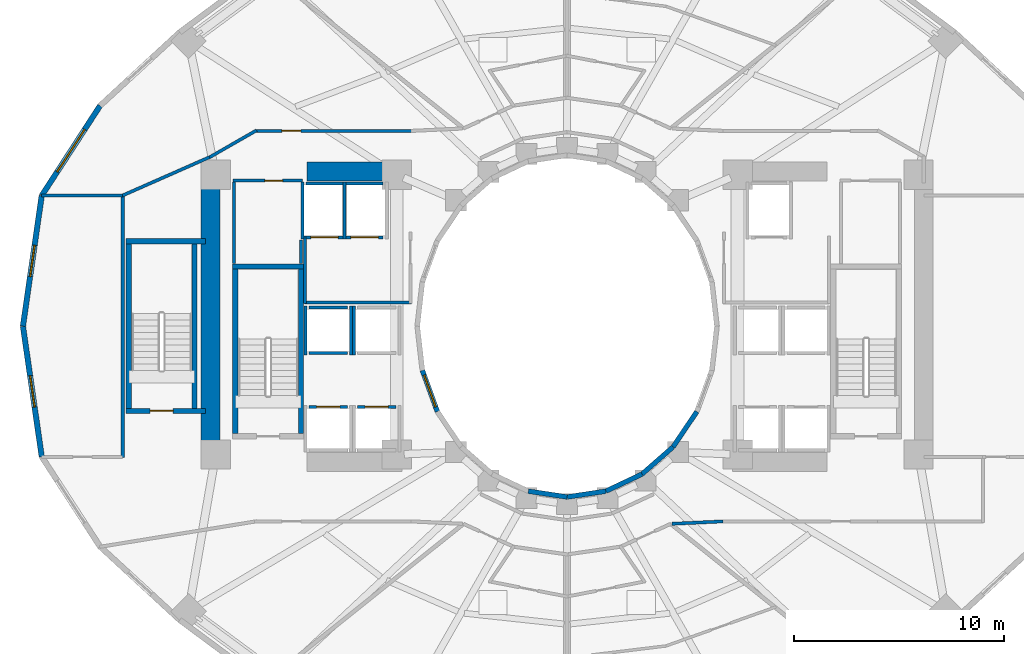
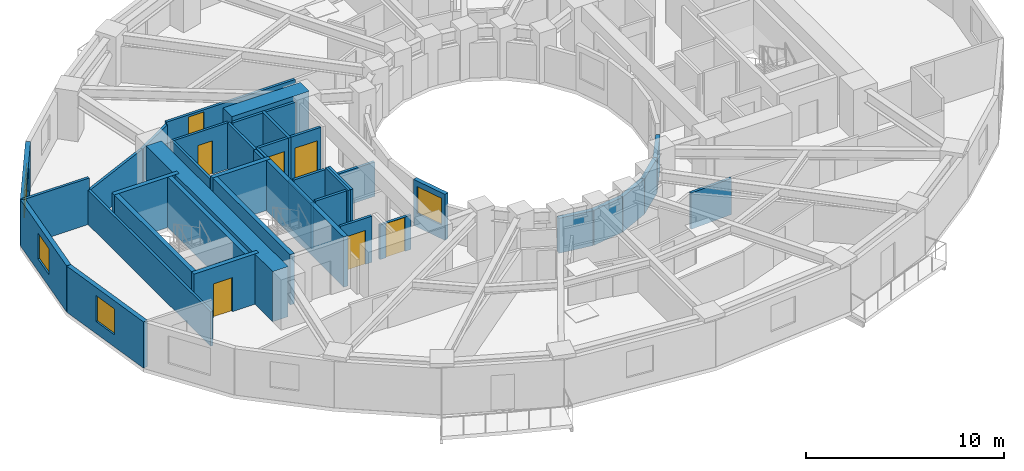
# One storey, part 4 of 10: 42 walls, 7 doors, 4 windows, 11 openings.
"""IFC4 building model written with IfcOpenShell, lengths in metres."""

from ifc_helpers import new_model, si_unit, direction, frame, frame_2d, origin, place, context, subcontext, project, spatial, rectangle, extrude, material, layer, layer_set, type_object, element, fill, save


model = new_model("IFC4")

# Units and contexts
model_context = context("Model", 3, precision=1e-05, world=origin(), true_north=direction((0.0, 1.0)))
body_context = subcontext(model_context, "Body", "Model", "MODEL_VIEW")
ifc_project = project(units=[si_unit("LENGTHUNIT", "METRE"), si_unit("AREAUNIT", "SQUARE_METRE"), si_unit("VOLUMEUNIT", "CUBIC_METRE"), si_unit("PLANEANGLEUNIT", "RADIAN"), si_unit("MASSUNIT", "GRAM", prefix="KILO")], contexts=[model_context])

# Site, building, storey
site_placement = place(None, origin())
site = spatial("IfcSite", under=ifc_project, at=site_placement, CompositionType="ELEMENT")
building_placement = place(site_placement, origin())
building = spatial("IfcBuilding", under=site, at=building_placement, Name="Solvane Sanctuary Tower", CompositionType="ELEMENT")
storey_placement = place(building_placement, frame((0.0, 0.0, 30.699951171875)))
storey = spatial("IfcBuildingStorey", under=building, at=storey_placement, Name="L08", CompositionType="ELEMENT", Elevation=30.699951171875)

# Walls
ifc_material_1 = material(Name="Concrete C70/85", Category="concrete")
ifc_layer_1 = layer(ifc_material_1, 0.89990234375, Name="Concrete C70/85")
ifc_layer_set_1 = layer_set([ifc_layer_1], Name="Concrete C70/85")
wall_type_1 = type_object("IfcWallType", Name="Wall W-CORE-900", PredefinedType="SHEAR", material=ifc_layer_set_1)
wall_1_placement = place(storey_placement, frame((15.050048828125, 17.050048828125, 0.0), z_axis=(0.0, 0.0, 1.0), x_axis=(0.0, 1.0, 0.0)))
element("IfcWall", 1, at=wall_1_placement, inside=storey, type_object=wall_type_1, Name="L08 Core Shear Wall WC-W", PredefinedType="SHEAR", context=body_context, shape_type="SweptSolid", body=[
    extrude(rectangle(XDim=12.800048828125, YDim=0.89990234375, at=frame_2d((6.39990234375, 0.0))), origin(), (0.0, 0.0, 1.0), 3.10009765625),
])
wall_2_placement = place(storey_placement, frame((19.64990234375, 30.35009765625, 0.0), z_axis=(0.0, 0.0, 1.0), x_axis=(1.0, 0.0, 0.0)))
element("IfcWall", 2, at=wall_2_placement, inside=storey, type_object=wall_type_1, Name="L08 Core Shear Wall WC-N", PredefinedType="SHEAR", context=body_context, shape_type="SweptSolid", body=[
    extrude(rectangle(XDim=4.5, YDim=0.89990234375, at=frame_2d((2.25, 0.0))), origin(), (0.0, 0.0, 1.0), 3.10009765625),
])
ifc_material_2 = material(Name="Acoustic Gypsum Partition Board")
ifc_layer_2 = layer(ifc_material_2, 0.14990234375, Name="Acoustic Gypsum Partition Board")
ifc_layer_set_2 = layer_set([ifc_layer_2], Name="Acoustic Gypsum Partition Board")
wall_type_2 = type_object("IfcWallType", Name="Wall W-CORR-150", PredefinedType="PARTITIONING", material=ifc_layer_set_2)
wall_3_placement = place(storey_placement, frame((19.52001953125, 24.1201171875, 0.0), z_axis=(0.0, 0.0, 1.0), x_axis=(1.0, 0.0, 0.0)))
element("IfcWall", 3, at=wall_3_placement, inside=storey, type_object=wall_type_2, Name="L08 West Firefighting Lobby South Wall", PredefinedType="PARTITIONING", context=body_context, shape_type="SweptSolid", body=[
    extrude(rectangle(XDim=5.080078125, YDim=0.14990234375, at=frame_2d((2.5400390625, 0.0))), origin(), (0.0, 0.0, 1.0), 2.1201171875),
])
wall_4_placement = place(storey_placement, frame((19.550048828125, 24.080078125, 0.0), z_axis=(0.0, 0.0, 1.0), x_axis=(0.0, 1.0, 0.0)))
element("IfcWall", 4, at=wall_4_placement, inside=storey, type_object=wall_type_2, Name="L08 West Firefighting Lobby West Wall", PredefinedType="PARTITIONING", context=body_context, shape_type="SweptSolid", body=[
    extrude(rectangle(XDim=3.199951171875, YDim=0.14990234375, at=frame_2d((1.60009765625, 0.0))), origin(), (0.0, 0.0, 1.0), 2.85498046875),
])
wall_5_placement = place(storey_placement, frame((10.8798828125, 16.748291015625, 0.0), z_axis=(0.0, 0.0, 1.0), x_axis=(0.0, 1.0, 0.0)))
element("IfcWall", 5, at=wall_5_placement, inside=storey, type_object=wall_type_2, Name="L08 West Shoulder Back Wall", PredefinedType="PARTITIONING", context=body_context, shape_type="SweptSolid", body=[
    extrude(rectangle(XDim=12.50341796875, YDim=0.14990234375, at=frame_2d((6.251708984375, 0.0))), origin(), (0.0, 0.0, 1.0), 2.1201171875),
])
wall_6_placement = place(storey_placement, frame((7.013671875, 29.211669921875, 0.0), z_axis=(0.0, 0.0, 1.0), x_axis=(1.0, 0.0, 0.0)))
element("IfcWall", 6, at=wall_6_placement, inside=storey, type_object=wall_type_2, Name="L08 West Shoulder North Wall", PredefinedType="PARTITIONING", context=body_context, shape_type="SweptSolid", body=[
    extrude(rectangle(XDim=3.8662109375, YDim=0.14990234375, at=frame_2d((1.93310546875, 0.0))), origin(), (0.0, 0.0, 1.0), 2.85498046875),
])
wall_7_placement = place(storey_placement, frame((10.843505859375, 29.195556640625, 0.0), z_axis=(0.0, 0.0, 1.0), x_axis=(0.91502756289, 0.403391322604, 0.0)))
element("IfcWall", 7, at=wall_7_placement, inside=storey, type_object=wall_type_2, Name="L08 NW Corner Closer 1", PredefinedType="PARTITIONING", context=body_context, shape_type="SweptSolid", body=[
    extrude(rectangle(XDim=4.63720703125, YDim=0.14990234375, at=frame_2d((2.318603515625, 0.0))), origin(), (0.0, 0.0, 1.0), 2.069091796875),
])

# Wall, opening, door
wall_8_placement = place(storey_placement, frame((17.14990234375, 32.280029296875, 0.0), z_axis=(0.0, 0.0, 1.0), x_axis=(1.0, 0.0, 0.0)))
wall_8 = element("IfcWall", 8, at=wall_8_placement, inside=storey, type_object=wall_type_2, Name="L08 NW Corner Corridor Wall", PredefinedType="PARTITIONING", context=body_context, shape_type="SweptSolid", body=[
    extrude(rectangle(XDim=7.52001953125, YDim=0.14990234375, at=frame_2d((3.760009765625, 0.0))), origin(), (0.0, 0.0, 1.0), 2.237060546875),
])
opening_1_placement = place(wall_8_placement, frame((1.300048828125, 0.0, 0.0)))
opening_1 = element("IfcOpeningElement", 9, at=opening_1_placement, cuts=wall_8, Name="Opening D-L08-15", PredefinedType="OPENING", context=body_context, shape_type="SweptSolid", body=[
    extrude(rectangle(XDim=0.89990234375, YDim=2.10009765625, at=frame_2d((0.449951171875, 1.050048828125))), frame((0.0, 0.0849609375, 0.0), z_axis=(0.0, -1.0, 0.0), x_axis=(1.0, 0.0, 0.0)), (0.0, 0.0, 1.0), 0.169921875),
])
ifc_material_3 = material(Name="Engineered Tropical Hardwood", Category="wood")
door_type_1 = type_object("IfcDoorType", Name="Door D-WET-900", OperationType="NOTDEFINED", PredefinedType="DOOR", material=ifc_material_3)
door_1_placement = place(opening_1_placement, origin())
door_1 = element("IfcDoor", 10, at=door_1_placement, inside=storey, type_object=door_type_1, Name="L08 NW Corner Salon Door", OperationType="SINGLE_SWING_LEFT", OverallHeight=2.10009765625, OverallWidth=0.89990234375, PredefinedType="DOOR", context=body_context, shape_type="SweptSolid", body=[
    extrude(rectangle(XDim=0.89990234375, YDim=2.10009765625, at=frame_2d((0.449951171875, 1.050048828125))), frame((0.0, 0.02490234375, 0.0), z_axis=(0.0, -1.0, 0.0), x_axis=(1.0, 0.0, 0.0)), (0.0, 0.0, 1.0), 0.050048828125),
])
fill(opening_1, door_1)

# Walls
wall_9_placement = place(storey_placement, frame((17.243408203125, 32.3046875, 0.0), z_axis=(0.0, 0.0, 1.0), x_axis=(-0.867991349648, -0.496579315857, 0.0)))
element("IfcWall", 11, at=wall_9_placement, inside=storey, type_object=wall_type_2, Name="L08 NW Corner Wing Wall", PredefinedType="PARTITIONING", context=body_context, shape_type="SweptSolid", body=[
    extrude(rectangle(XDim=2.56689453125, YDim=0.14990234375, at=frame_2d((1.283447265625, 0.0))), origin(), (0.0, 0.0, 1.0), 2.069091796875),
])
wall_10_placement = place(storey_placement, frame((36.97998046875, 13.606201171875, 0.0), z_axis=(0.0, 0.0, 1.0), x_axis=(0.998877427952, 0.047369651964, 0.0)))
element("IfcWall", 12, at=wall_10_placement, inside=storey, type_object=wall_type_2, Name="L08 SE Corner Throat Wall", PredefinedType="PARTITIONING", context=body_context, shape_type="SweptSolid", body=[
    extrude(rectangle(XDim=2.4326171875, YDim=0.14990234375, at=frame_2d((1.21630859375, 0.0))), origin(), (0.0, 0.0, 1.0), 2.237060546875),
])

# Wall, opening, window
ifc_material_4 = material(Name="Precast concrete C40/50", Category="concrete")
ifc_layer_3 = layer(ifc_material_4, 0.260009765625, Name="Precast concrete C40/50")
ifc_layer_set_3 = layer_set([ifc_layer_3], Name="Precast concrete C40/50")
wall_type_3 = type_object("IfcWallType", Name="Wall W-EXT-250", PredefinedType="STANDARD", material=ifc_layer_set_3)
wall_11_placement = place(storey_placement, frame((9.80615234375, 33.4755859375, 0.0), z_axis=(0.0, 0.0, 1.0), x_axis=(-0.544578722263, -0.838709732421, 0.0)))
wall_11 = element("IfcWall", 13, at=wall_11_placement, inside=storey, type_object=wall_type_3, Name="L08 Ceramic-Printed Facade Wall 10", PredefinedType="STANDARD", context=body_context, shape_type="SweptSolid", body=[
    extrude(rectangle(XDim=5.091552734375, YDim=0.260009765625, at=frame_2d((2.5458984375, 0.0))), origin(), (0.0, 0.0, 1.0), 2.85009765625),
])
opening_2_placement = place(wall_11_placement, frame((1.345703125, 0.0, 0.75)))
opening_2 = element("IfcOpeningElement", 14, at=opening_2_placement, cuts=wall_11, Name="Opening WN-RIB-2400", PredefinedType="OPENING", context=body_context, shape_type="SweptSolid", body=[
    extrude(rectangle(XDim=2.39990234375, YDim=1.699951171875, at=frame_2d((1.199951171875, 0.85009765625))), frame((0.0, 0.139892578125, 0.0), z_axis=(0.0, -1.0, 0.0), x_axis=(1.0, 0.0, 0.0)), (0.0, 0.0, 1.0), 0.280029296875),
])
ifc_material_5 = material(Name="Dark Ceramic-Fritted Low-E Glass", Category="glass")
window_type_1 = type_object("IfcWindowType", Name="Window WN-RIB-2400", PartitioningType="SINGLE_PANEL", PredefinedType="WINDOW", material=ifc_material_5)
window_1_placement = place(opening_2_placement, origin())
window_1 = element("IfcWindow", 15, at=window_1_placement, inside=storey, type_object=window_type_1, Name="L08 Operable Facade Window 10", OverallHeight=1.699951171875, OverallWidth=2.39990234375, PartitioningType="SINGLE_PANEL", PredefinedType="WINDOW", context=body_context, shape_type="SweptSolid", body=[
    extrude(rectangle(XDim=2.39990234375, YDim=1.699951171875, at=frame_2d((1.199951171875, 0.85009765625))), frame((0.0, 0.030029296875, 0.0), z_axis=(0.0, -1.0, 0.0), x_axis=(1.0, 0.0, 0.0)), (0.0, 0.0, 1.0), 0.06005859375),
])
fill(opening_2, window_1)

wall_12_placement = place(storey_placement, frame((7.033447265625, 29.205322265625, 0.0), z_axis=(0.0, 0.0, 1.0), x_axis=(-0.142528001686, -0.989790770181, 0.0)))
wall_12 = element("IfcWall", 16, at=wall_12_placement, inside=storey, type_object=wall_type_3, Name="L08 Ceramic-Printed Facade Wall 11", PredefinedType="STANDARD", context=body_context, shape_type="SweptSolid", body=[
    extrude(rectangle(XDim=6.269287109375, YDim=0.260009765625, at=frame_2d((3.134765625, 0.0))), origin(), (0.0, 0.0, 1.0), 2.85009765625),
])
opening_3_placement = place(wall_12_placement, frame((2.384521484375, 0.0, 0.75)))
opening_3 = element("IfcOpeningElement", 17, at=opening_3_placement, cuts=wall_12, Name="Opening WN-OPER-1500", PredefinedType="OPENING", context=body_context, shape_type="SweptSolid", body=[
    extrude(rectangle(XDim=1.5, YDim=1.60009765625, at=frame_2d((0.75, 0.800048828125))), frame((0.0, 0.139892578125, 0.0), z_axis=(0.0, -1.0, 0.0), x_axis=(1.0, 0.0, 0.0)), (0.0, 0.0, 1.0), 0.280029296875),
])
window_type_2 = type_object("IfcWindowType", Name="Window WN-OPER-1500", PartitioningType="SINGLE_PANEL", PredefinedType="WINDOW", material=ifc_material_5)
window_2_placement = place(opening_3_placement, origin())
window_2 = element("IfcWindow", 18, at=window_2_placement, inside=storey, type_object=window_type_2, Name="L08 Operable Facade Window 11", OverallHeight=1.60009765625, OverallWidth=1.5, PartitioningType="SINGLE_PANEL", PredefinedType="WINDOW", context=body_context, shape_type="SweptSolid", body=[
    extrude(rectangle(XDim=1.5, YDim=1.60009765625, at=frame_2d((0.75, 0.800048828125))), frame((0.0, 0.030029296875, 0.0), z_axis=(0.0, -1.0, 0.0), x_axis=(1.0, 0.0, 0.0)), (0.0, 0.0, 1.0), 0.06005859375),
])
fill(opening_3, window_2)

wall_13_placement = place(storey_placement, frame((6.139892578125, 23.0, 0.0), z_axis=(0.0, 0.0, 1.0), x_axis=(0.142528001686, -0.989790770181, 0.0)))
wall_13 = element("IfcWall", 19, at=wall_13_placement, inside=storey, type_object=wall_type_3, Name="L08 Ceramic-Printed Facade Wall 12", PredefinedType="STANDARD", context=body_context, shape_type="SweptSolid", body=[
    extrude(rectangle(XDim=6.269287109375, YDim=0.260009765625, at=frame_2d((3.134765625, 0.0))), origin(), (0.0, 0.0, 1.0), 2.85009765625),
])
opening_4_placement = place(wall_13_placement, frame((2.384521484375, 0.0, 0.75)))
opening_4 = element("IfcOpeningElement", 20, at=opening_4_placement, cuts=wall_13, Name="Opening WN-OPER-1500", PredefinedType="OPENING", context=body_context, shape_type="SweptSolid", body=[
    extrude(rectangle(XDim=1.5, YDim=1.60009765625, at=frame_2d((0.75, 0.800048828125))), frame((0.0, 0.139892578125, 0.0), z_axis=(0.0, -1.0, 0.0), x_axis=(1.0, 0.0, 0.0)), (0.0, 0.0, 1.0), 0.280029296875),
])
window_3_placement = place(opening_4_placement, origin())
window_3 = element("IfcWindow", 21, at=window_3_placement, inside=storey, type_object=window_type_2, Name="L08 Operable Facade Window 12", OverallHeight=1.60009765625, OverallWidth=1.5, PartitioningType="SINGLE_PANEL", PredefinedType="WINDOW", context=body_context, shape_type="SweptSolid", body=[
    extrude(rectangle(XDim=1.5, YDim=1.60009765625, at=frame_2d((0.75, 0.800048828125))), frame((0.0, 0.030029296875, 0.0), z_axis=(0.0, -1.0, 0.0), x_axis=(1.0, 0.0, 0.0)), (0.0, 0.0, 1.0), 0.06005859375),
])
fill(opening_4, window_3)

ifc_layer_4 = layer(ifc_material_4, 0.22998046875, Name="Precast concrete C40/50")
ifc_layer_set_4 = layer_set([ifc_layer_4], Name="Precast concrete C40/50")
wall_type_4 = type_object("IfcWallType", Name="Wall W-EXT-SP220", PredefinedType="STANDARD", material=ifc_layer_set_4)
wall_14_placement = place(storey_placement, frame((25.12255859375, 20.8984375, 0.0), z_axis=(0.0, 0.0, 1.0), x_axis=(0.341423187295, -0.93990968033, 0.0)))
wall_14 = element("IfcWall", 22, at=wall_14_placement, inside=storey, type_object=wall_type_4, Name="L08 Central Light-Well Wall 13", PredefinedType="STANDARD", context=body_context, shape_type="SweptSolid", body=[
    extrude(rectangle(XDim=2.083740234375, YDim=0.22998046875, at=frame_2d((1.0419921875, 0.0))), origin(), (0.0, 0.0, 1.0), 2.840087890625),
])
opening_5_placement = place(wall_14_placement, frame((0.24169921875, 0.0, 0.85009765625)))
opening_5 = element("IfcOpeningElement", 23, at=opening_5_placement, cuts=wall_14, Name="Opening WN-WELL-1600", PredefinedType="OPENING", context=body_context, shape_type="SweptSolid", body=[
    extrude(rectangle(XDim=1.60009765625, YDim=1.64990234375, at=frame_2d((0.800048828125, 0.824951171875))), frame((0.0, 0.125, 0.0), z_axis=(0.0, -1.0, 0.0), x_axis=(1.0, 0.0, 0.0)), (0.0, 0.0, 1.0), 0.25),
])
ifc_material_6 = material(Name="Clear Laminated Light-Well Glass", Category="glass")
window_type_3 = type_object("IfcWindowType", Name="Window WN-WELL-1600", PartitioningType="SINGLE_PANEL", PredefinedType="WINDOW", material=ifc_material_6)
window_4_placement = place(opening_5_placement, origin())
window_4 = element("IfcWindow", 24, at=window_4_placement, inside=storey, type_object=window_type_3, Name="L08 Light-Well Daylight Window 13", OverallHeight=1.64990234375, OverallWidth=1.60009765625, PartitioningType="SINGLE_PANEL", PredefinedType="WINDOW", context=body_context, shape_type="SweptSolid", body=[
    extrude(rectangle(XDim=1.60009765625, YDim=1.64990234375, at=frame_2d((0.800048828125, 0.824951171875))), frame((0.0, 0.030029296875, 0.0), z_axis=(0.0, -1.0, 0.0), x_axis=(1.0, 0.0, 0.0)), (0.0, 0.0, 1.0), 0.06005859375),
])
fill(opening_5, window_4)

# Walls
for number, where, z_axis, x_axis, name in (
    (25, (30.1572265625, 15.15673828125, 0.0), (0.0, 0.0, 1.0), (0.988901730308, -0.148571086668, 0.0), "L08 Central Light-Well Wall 17"),
    (26, (32.0, 14.8798828125, 0.0), (0.0, 0.0, 1.0), (0.988901730308, 0.148571086668, 0.0), "L08 Central Light-Well Wall 18"),
):
    element("IfcWall", number, at=place(storey_placement, frame(where, z_axis=z_axis, x_axis=x_axis)), inside=storey, type_object=wall_type_4, Name=name, PredefinedType="STANDARD", context=body_context, shape_type="SweptSolid", body=[
        extrude(rectangle(XDim=1.863525390625, YDim=0.22998046875, at=frame_2d((0.931640625, 0.0))), origin(), (0.0, 0.0, 1.0), 2.16015625),
    ])
wall_15_placement = place(storey_placement, frame((33.8427734375, 15.15673828125, 0.0), z_axis=(0.0, 0.0, 1.0), x_axis=(0.904179699603, 0.427152280606, 0.0)))
element("IfcWall", 27, at=wall_15_placement, inside=storey, type_object=wall_type_4, Name="L08 Central Light-Well Wall 19", PredefinedType="STANDARD", context=body_context, shape_type="SweptSolid", body=[
    extrude(rectangle(XDim=1.899169921875, YDim=0.22998046875, at=frame_2d((0.94970703125, 0.0))), origin(), (0.0, 0.0, 1.0), 2.16015625),
])
wall_16_placement = place(storey_placement, frame((35.56005859375, 15.968017578125, 0.0), z_axis=(0.0, 0.0, 1.0), x_axis=(0.752576694707, 0.658504607869, 0.0)))
element("IfcWall", 28, at=wall_16_placement, inside=storey, type_object=wall_type_4, Name="L08 Central Light-Well Wall 20", PredefinedType="STANDARD", context=body_context, shape_type="SweptSolid", body=[
    extrude(rectangle(XDim=1.95947265625, YDim=0.22998046875, at=frame_2d((0.979736328125, 0.0))), origin(), (0.0, 0.0, 1.0), 2.16015625),
])
wall_17_placement = place(storey_placement, frame((37.03466796875, 17.25830078125, 0.0), z_axis=(0.0, 0.0, 1.0), x_axis=(0.558197800898, 0.829707909492, 0.0)))
element("IfcWall", 29, at=wall_17_placement, inside=storey, type_object=wall_type_4, Name="L08 Central Light-Well Wall 21", PredefinedType="STANDARD", context=body_context, shape_type="SweptSolid", body=[
    extrude(rectangle(XDim=2.02685546875, YDim=0.22998046875, at=frame_2d((1.013427734375, 0.0))), origin(), (0.0, 0.0, 1.0), 2.16015625),
])

# Wall, opening, door
ifc_material_7 = material(Name="Concrete C50/60", Category="concrete")
ifc_layer_5 = layer(ifc_material_7, 0.14990234375, Name="Concrete C50/60")
ifc_layer_set_5 = layer_set([ifc_layer_5], Name="Concrete C50/60")
wall_type_5 = type_object("IfcWallType", Name="Wall W-SHAFT-150", PredefinedType="SOLIDWALL", material=ifc_layer_set_5)
wall_18_placement = place(storey_placement, frame((19.739990234375, 19.159912109375, 0.0), z_axis=(0.0, 0.0, 1.0), x_axis=(1.0, 0.0, 0.0)))
wall_18 = element("IfcWall", 30, at=wall_18_placement, inside=storey, type_object=wall_type_5, Name="L08 PL-1 Lift Shaft Wall F", PredefinedType="SOLIDWALL", context=body_context, shape_type="SweptSolid", body=[
    extrude(rectangle(XDim=1.820068359375, YDim=0.14990234375, at=frame_2d((0.91015625, 0.0))), origin(), (0.0, 0.0, 1.0), 2.85498046875),
])
opening_6_placement = place(wall_18_placement, frame((0.360107421875, 0.0, 0.0)))
opening_6 = element("IfcOpeningElement", 31, at=opening_6_placement, cuts=wall_18, Name="Opening LD-L08-01", PredefinedType="OPENING", context=body_context, shape_type="SweptSolid", body=[
    extrude(rectangle(XDim=1.10009765625, YDim=2.10009765625, at=frame_2d((0.550048828125, 1.050048828125))), frame((0.0, 0.0849609375, 0.0), z_axis=(0.0, -1.0, 0.0), x_axis=(1.0, 0.0, 0.0)), (0.0, 0.0, 1.0), 0.169921875),
])
ifc_material_8 = material(Name="Architectural Stainless Steel 316", Category="steel")
door_type_2 = type_object("IfcDoorType", Name="Door LD-PASS-1100", OperationType="NOTDEFINED", PredefinedType="DOOR", material=ifc_material_8)
door_2_placement = place(opening_6_placement, origin())
door_2 = element("IfcDoor", 32, at=door_2_placement, inside=storey, type_object=door_type_2, Name="L08 PL-1 Lift Landing Door", OperationType="DOUBLE_DOOR_SLIDING", OverallHeight=2.10009765625, OverallWidth=1.10009765625, PredefinedType="DOOR", context=body_context, shape_type="SweptSolid", body=[
    extrude(rectangle(XDim=1.10009765625, YDim=2.10009765625, at=frame_2d((0.550048828125, 1.050048828125))), frame((0.0, 0.02490234375, 0.0), z_axis=(0.0, -1.0, 0.0), x_axis=(1.0, 0.0, 0.0)), (0.0, 0.0, 1.0), 0.050048828125),
])
fill(opening_6, door_2)

wall_19_placement = place(storey_placement, frame((22.0400390625, 19.159912109375, 0.0), z_axis=(0.0, 0.0, 1.0), x_axis=(1.0, 0.0, 0.0)))
wall_19 = element("IfcWall", 33, at=wall_19_placement, inside=storey, type_object=wall_type_5, Name="L08 PL-2 Lift Shaft Wall F", PredefinedType="SOLIDWALL", context=body_context, shape_type="SweptSolid", body=[
    extrude(rectangle(XDim=1.820068359375, YDim=0.14990234375, at=frame_2d((0.91015625, 0.0))), origin(), (0.0, 0.0, 1.0), 2.1201171875),
])
opening_7_placement = place(wall_19_placement, frame((0.360107421875, 0.0, 0.0)))
opening_7 = element("IfcOpeningElement", 34, at=opening_7_placement, cuts=wall_19, Name="Opening LD-L08-02", PredefinedType="OPENING", context=body_context, shape_type="SweptSolid", body=[
    extrude(rectangle(XDim=1.10009765625, YDim=2.10009765625, at=frame_2d((0.550048828125, 1.050048828125))), frame((0.0, 0.0849609375, 0.0), z_axis=(0.0, -1.0, 0.0), x_axis=(1.0, 0.0, 0.0)), (0.0, 0.0, 1.0), 0.169921875),
])
door_3_placement = place(opening_7_placement, origin())
door_3 = element("IfcDoor", 35, at=door_3_placement, inside=storey, type_object=door_type_2, Name="L08 PL-2 Lift Landing Door", OperationType="DOUBLE_DOOR_SLIDING", OverallHeight=2.10009765625, OverallWidth=1.10009765625, PredefinedType="DOOR", context=body_context, shape_type="SweptSolid", body=[
    extrude(rectangle(XDim=1.10009765625, YDim=2.10009765625, at=frame_2d((0.550048828125, 1.050048828125))), frame((0.0, 0.02490234375, 0.0), z_axis=(0.0, -1.0, 0.0), x_axis=(1.0, 0.0, 0.0)), (0.0, 0.0, 1.0), 0.050048828125),
])
fill(opening_7, door_3)

# Walls
for number, where, z_axis, x_axis, name in (
    (36, (19.739990234375, 21.719970703125, 0.0), (0.0, 0.0, 1.0), (1.0, 0.0, 0.0), "L08 PM-1 Lift Shaft Wall F"),
    (37, (19.739990234375, 23.8798828125, 0.0), (0.0, 0.0, 1.0), (1.0, 0.0, 0.0), "L08 PM-1 Lift Shaft Wall B"),
):
    element("IfcWall", number, at=place(storey_placement, frame(where, z_axis=z_axis, x_axis=x_axis)), inside=storey, type_object=wall_type_5, Name=name, PredefinedType="SOLIDWALL", context=body_context, shape_type="SweptSolid", body=[
        extrude(rectangle(XDim=1.820068359375, YDim=0.14990234375, at=frame_2d((0.91015625, 0.0))), origin(), (0.0, 0.0, 1.0), 2.85498046875),
    ])
for number, where, z_axis, x_axis, name in (
    (38, (19.570068359375, 21.639892578125, 0.0), (0.0, 0.0, 1.0), (0.0, 1.0, 0.0), "L08 PM-1 Lift Shaft Wall S1"),
    (39, (21.72998046875, 21.639892578125, 0.0), (0.0, 0.0, 1.0), (0.0, 1.0, 0.0), "L08 PM-1 Lift Shaft Wall S2"),
    (40, (21.8701171875, 21.639892578125, 0.0), (0.0, 0.0, 1.0), (0.0, 1.0, 0.0), "L08 PH-1 Lift Shaft Wall S1"),
):
    element("IfcWall", number, at=place(storey_placement, frame(where, z_axis=z_axis, x_axis=x_axis)), inside=storey, type_object=wall_type_5, Name=name, PredefinedType="SOLIDWALL", context=body_context, shape_type="SweptSolid", body=[
        extrude(rectangle(XDim=2.320068359375, YDim=0.14990234375, at=frame_2d((1.16015625, 0.0))), origin(), (0.0, 0.0, 1.0), 2.85498046875),
    ])

# Wall, opening, door
wall_20_placement = place(storey_placement, frame((19.590087890625, 27.219970703125, 0.0), z_axis=(0.0, 0.0, 1.0), x_axis=(1.0, 0.0, 0.0)))
wall_20 = element("IfcWall", 41, at=wall_20_placement, inside=storey, type_object=wall_type_5, Name="L08 FFL-1 Lift Shaft Wall F", PredefinedType="SOLIDWALL", context=body_context, shape_type="SweptSolid", body=[
    extrude(rectangle(XDim=1.760009765625, YDim=0.14990234375, at=frame_2d((0.8798828125, 0.0))), origin(), (0.0, 0.0, 1.0), 2.85498046875),
])
opening_8_placement = place(wall_20_placement, frame((0.22998046875, 0.0, 0.0)))
opening_8 = element("IfcOpeningElement", 42, at=opening_8_placement, cuts=wall_20, Name="Opening LD-L08-05", PredefinedType="OPENING", context=body_context, shape_type="SweptSolid", body=[
    extrude(rectangle(XDim=1.300048828125, YDim=2.10009765625, at=frame_2d((0.64990234375, 1.050048828125))), frame((0.0, 0.0849609375, 0.0), z_axis=(0.0, -1.0, 0.0), x_axis=(1.0, 0.0, 0.0)), (0.0, 0.0, 1.0), 0.169921875),
])
door_type_3 = type_object("IfcDoorType", Name="Door LD-FFL-1300", OperationType="NOTDEFINED", PredefinedType="DOOR", material=ifc_material_8)
door_4_placement = place(opening_8_placement, origin())
door_4 = element("IfcDoor", 43, at=door_4_placement, inside=storey, type_object=door_type_3, Name="L08 FFL-1 Lift Landing Door", OperationType="DOUBLE_DOOR_SLIDING", OverallHeight=2.10009765625, OverallWidth=1.300048828125, PredefinedType="DOOR", context=body_context, shape_type="SweptSolid", body=[
    extrude(rectangle(XDim=1.300048828125, YDim=2.10009765625, at=frame_2d((0.64990234375, 1.050048828125))), frame((0.0, 0.02490234375, 0.0), z_axis=(0.0, -1.0, 0.0), x_axis=(1.0, 0.0, 0.0)), (0.0, 0.0, 1.0), 0.050048828125),
])
fill(opening_8, door_4)

# Walls
wall_21_placement = place(storey_placement, frame((19.590087890625, 29.780029296875, 0.0), z_axis=(0.0, 0.0, 1.0), x_axis=(1.0, 0.0, 0.0)))
element("IfcWall", 44, at=wall_21_placement, inside=storey, type_object=wall_type_5, Name="L08 FFL-1 Lift Shaft Wall B", PredefinedType="SOLIDWALL", context=body_context, shape_type="SweptSolid", body=[
    extrude(rectangle(XDim=1.760009765625, YDim=0.14990234375, at=frame_2d((0.8798828125, 0.0))), origin(), (0.0, 0.0, 1.0), 2.85498046875),
])
for number, where, z_axis, x_axis, name in (
    (45, (19.419921875, 27.139892578125, 0.0), (0.0, 0.0, 1.0), (0.0, 1.0, 0.0), "L08 FFL-1 Lift Shaft Wall S1"),
    (46, (21.425048828125, 27.139892578125, 0.0), (0.0, 0.0, 1.0), (0.0, 1.0, 0.0), "L08 FFL-1 Lift Shaft Wall S2"),
):
    element("IfcWall", number, at=place(storey_placement, frame(where, z_axis=z_axis, x_axis=x_axis)), inside=storey, type_object=wall_type_5, Name=name, PredefinedType="SOLIDWALL", context=body_context, shape_type="SweptSolid", body=[
        extrude(rectangle(XDim=2.72021484375, YDim=0.14990234375, at=frame_2d((1.360107421875, 0.0))), origin(), (0.0, 0.0, 1.0), 2.85498046875),
    ])

# Wall, opening, door
wall_22_placement = place(storey_placement, frame((21.5, 27.219970703125, 0.0), z_axis=(0.0, 0.0, 1.0), x_axis=(1.0, 0.0, 0.0)))
wall_22 = element("IfcWall", 47, at=wall_22_placement, inside=storey, type_object=wall_type_5, Name="L08 SVL-1 Lift Shaft Wall F", PredefinedType="SOLIDWALL", context=body_context, shape_type="SweptSolid", body=[
    extrude(rectangle(XDim=1.760009765625, YDim=0.14990234375, at=frame_2d((0.8798828125, 0.0))), origin(), (0.0, 0.0, 1.0), 2.85498046875),
])
opening_9_placement = place(wall_22_placement, frame((0.22998046875, 0.0, 0.0)))
opening_9 = element("IfcOpeningElement", 48, at=opening_9_placement, cuts=wall_22, Name="Opening LD-L08-06", PredefinedType="OPENING", context=body_context, shape_type="SweptSolid", body=[
    extrude(rectangle(XDim=1.300048828125, YDim=2.10009765625, at=frame_2d((0.64990234375, 1.050048828125))), frame((0.0, 0.0849609375, 0.0), z_axis=(0.0, -1.0, 0.0), x_axis=(1.0, 0.0, 0.0)), (0.0, 0.0, 1.0), 0.169921875),
])
door_5_placement = place(opening_9_placement, origin())
door_5 = element("IfcDoor", 49, at=door_5_placement, inside=storey, type_object=door_type_3, Name="L08 SVL-1 Lift Landing Door", OperationType="DOUBLE_DOOR_SLIDING", OverallHeight=2.10009765625, OverallWidth=1.300048828125, PredefinedType="DOOR", context=body_context, shape_type="SweptSolid", body=[
    extrude(rectangle(XDim=1.300048828125, YDim=2.10009765625, at=frame_2d((0.64990234375, 1.050048828125))), frame((0.0, 0.02490234375, 0.0), z_axis=(0.0, -1.0, 0.0), x_axis=(1.0, 0.0, 0.0)), (0.0, 0.0, 1.0), 0.050048828125),
])
fill(opening_9, door_5)

# Walls
wall_23_placement = place(storey_placement, frame((21.5, 29.780029296875, 0.0), z_axis=(0.0, 0.0, 1.0), x_axis=(1.0, 0.0, 0.0)))
element("IfcWall", 50, at=wall_23_placement, inside=storey, type_object=wall_type_5, Name="L08 SVL-1 Lift Shaft Wall B", PredefinedType="SOLIDWALL", context=body_context, shape_type="SweptSolid", body=[
    extrude(rectangle(XDim=1.760009765625, YDim=0.14990234375, at=frame_2d((0.8798828125, 0.0))), origin(), (0.0, 0.0, 1.0), 2.85498046875),
])
ifc_layer_6 = layer(ifc_material_7, 0.25, Name="Concrete C50/60")
ifc_layer_set_6 = layer_set([ifc_layer_6], Name="Concrete C50/60")
wall_type_6 = type_object("IfcWallType", Name="Wall W-SHAFT-250", PredefinedType="SOLIDWALL", material=ifc_layer_set_6)
wall_24_placement = place(storey_placement, frame((16.10498046875, 25.830078125, 0.0), z_axis=(0.0, 0.0, 1.0), x_axis=(1.0, 0.0, 0.0)))
element("IfcWall", 51, at=wall_24_placement, inside=storey, type_object=wall_type_6, Name="L08 ST-1 Load-Bearing Shaft Wall N", PredefinedType="SOLIDWALL", context=body_context, shape_type="SweptSolid", body=[
    extrude(rectangle(XDim=3.3701171875, YDim=0.25, at=frame_2d((1.68505859375, 0.0))), origin(), (0.0, 0.0, 1.0), 3.10009765625),
])
for number, where, z_axis, x_axis, name in (
    (52, (16.22998046875, 17.89501953125, 0.0), (0.0, 0.0, 1.0), (0.0, 1.0, 0.0), "L08 ST-1 Load-Bearing Shaft Wall W"),
    (53, (19.35009765625, 17.89501953125, 0.0), (0.0, 0.0, 1.0), (0.0, 1.0, 0.0), "L08 ST-1 Load-Bearing Shaft Wall E"),
):
    element("IfcWall", number, at=place(storey_placement, frame(where, z_axis=z_axis, x_axis=x_axis)), inside=storey, type_object=wall_type_6, Name=name, PredefinedType="SOLIDWALL", context=body_context, shape_type="SweptSolid", body=[
        extrude(rectangle(XDim=7.81005859375, YDim=0.25, at=frame_2d((3.905029296875, 0.0))), origin(), (0.0, 0.0, 1.0), 3.10009765625),
    ])

# Wall, opening, door
wall_25_placement = place(storey_placement, frame((11.044921875, 18.969970703125, 0.0), z_axis=(0.0, 0.0, 1.0), x_axis=(1.0, 0.0, 0.0)))
wall_25 = element("IfcWall", 54, at=wall_25_placement, inside=storey, type_object=wall_type_6, Name="L08 ST-3 Load-Bearing Shaft Wall S", PredefinedType="SOLIDWALL", context=body_context, shape_type="SweptSolid", body=[
    extrude(rectangle(XDim=3.781982421875, YDim=0.25, at=frame_2d((1.89111328125, 0.0))), origin(), (0.0, 0.0, 1.0), 3.10009765625),
])
opening_10_placement = place(wall_25_placement, frame((1.135009765625, 0.0, 0.0)))
opening_10 = element("IfcOpeningElement", 55, at=opening_10_placement, cuts=wall_25, Name="Opening D-L08-07", PredefinedType="OPENING", context=body_context, shape_type="SweptSolid", body=[
    extrude(rectangle(XDim=1.10009765625, YDim=2.10009765625, at=frame_2d((0.550048828125, 1.050048828125))), frame((0.0, 0.135009765625, 0.0), z_axis=(0.0, -1.0, 0.0), x_axis=(1.0, 0.0, 0.0)), (0.0, 0.0, 1.0), 0.27001953125),
])
door_type_4 = type_object("IfcDoorType", Name="Door D-STAIR", OperationType="NOTDEFINED", PredefinedType="DOOR", material=ifc_material_8)
door_6_placement = place(opening_10_placement, origin())
door_6 = element("IfcDoor", 56, at=door_6_placement, inside=storey, type_object=door_type_4, Name="L08 ST-3 Exit Stair Fire Door", OperationType="SINGLE_SWING_RIGHT", OverallHeight=2.10009765625, OverallWidth=1.10009765625, PredefinedType="DOOR", context=body_context, shape_type="SweptSolid", body=[
    extrude(rectangle(XDim=1.10009765625, YDim=2.10009765625, at=frame_2d((0.550048828125, 1.050048828125))), frame((0.0, 0.02490234375, 0.0), z_axis=(0.0, -1.0, 0.0), x_axis=(1.0, 0.0, 0.0)), (0.0, 0.0, 1.0), 0.050048828125),
])
fill(opening_10, door_6)

# Walls
wall_26_placement = place(storey_placement, frame((11.044921875, 27.030029296875, 0.0), z_axis=(0.0, 0.0, 1.0), x_axis=(1.0, 0.0, 0.0)))
element("IfcWall", 57, at=wall_26_placement, inside=storey, type_object=wall_type_6, Name="L08 ST-3 Load-Bearing Shaft Wall N", PredefinedType="SOLIDWALL", context=body_context, shape_type="SweptSolid", body=[
    extrude(rectangle(XDim=3.781982421875, YDim=0.25, at=frame_2d((1.89111328125, 0.0))), origin(), (0.0, 0.0, 1.0), 3.10009765625),
])
for number, where, z_axis, x_axis, name in (
    (58, (11.169921875, 19.094970703125, 0.0), (0.0, 0.0, 1.0), (0.0, 1.0, 0.0), "L08 ST-3 Load-Bearing Shaft Wall W"),
    (59, (14.2900390625, 19.094970703125, 0.0), (0.0, 0.0, 1.0), (0.0, 1.0, 0.0), "L08 ST-3 Load-Bearing Shaft Wall E"),
):
    element("IfcWall", number, at=place(storey_placement, frame(where, z_axis=z_axis, x_axis=x_axis)), inside=storey, type_object=wall_type_6, Name=name, PredefinedType="SOLIDWALL", context=body_context, shape_type="SweptSolid", body=[
        extrude(rectangle(XDim=7.81005859375, YDim=0.25, at=frame_2d((3.905029296875, 0.0))), origin(), (0.0, 0.0, 1.0), 3.10009765625),
    ])

# Wall, opening, door
ifc_layer_7 = layer(ifc_material_2, 0.139892578125, Name="Acoustic Gypsum Partition Board")
ifc_layer_set_7 = layer_set([ifc_layer_7], Name="Acoustic Gypsum Partition Board")
wall_type_7 = type_object("IfcWallType", Name="Wall W-WET-140", PredefinedType="PLUMBINGWALL", material=ifc_layer_set_7)
wall_27_placement = place(storey_placement, frame((16.1201171875, 29.919921875, 0.0), z_axis=(0.0, 0.0, 1.0), x_axis=(1.0, 0.0, 0.0)))
wall_27 = element("IfcWall", 60, at=wall_27_placement, inside=storey, type_object=wall_type_7, Name="L08 Core Service Front Wall KW0", PredefinedType="PLUMBINGWALL", context=body_context, shape_type="SweptSolid", body=[
    extrude(rectangle(XDim=3.2998046875, YDim=0.139892578125, at=frame_2d((1.64990234375, 0.0))), origin(), (0.0, 0.0, 1.0), 2.85498046875),
])
opening_11_placement = place(wall_27_placement, frame((1.515869140625, 0.0, 0.0)))
opening_11 = element("IfcOpeningElement", 61, at=opening_11_placement, cuts=wall_27, Name="Opening D-L08-10", PredefinedType="OPENING", context=body_context, shape_type="SweptSolid", body=[
    extrude(rectangle(XDim=0.85009765625, YDim=2.050048828125, at=frame_2d((0.425048828125, 1.02490234375))), frame((0.0, 0.079833984375, 0.0), z_axis=(0.0, -1.0, 0.0), x_axis=(1.0, 0.0, 0.0)), (0.0, 0.0, 1.0), 0.159912109375),
])
door_type_5 = type_object("IfcDoorType", Name="Door D-RISER", OperationType="NOTDEFINED", PredefinedType="DOOR", material=ifc_material_8)
door_7_placement = place(opening_11_placement, origin())
door_7 = element("IfcDoor", 62, at=door_7_placement, inside=storey, type_object=door_type_5, Name="L08 Core Service Room Door KW0-1", OperationType="SINGLE_SWING_RIGHT", OverallHeight=2.050048828125, OverallWidth=0.85009765625, PredefinedType="DOOR", context=body_context, shape_type="SweptSolid", body=[
    extrude(rectangle(XDim=0.85009765625, YDim=2.050048828125, at=frame_2d((0.425048828125, 1.02490234375))), frame((0.0, 0.02490234375, 0.0), z_axis=(0.0, -1.0, 0.0), x_axis=(1.0, 0.0, 0.0)), (0.0, 0.0, 1.0), 0.050048828125),
])
fill(opening_11, door_7)

# Walls
wall_28_placement = place(storey_placement, frame((16.179931640625, 25.97998046875, 0.0), z_axis=(0.0, 0.0, 1.0), x_axis=(0.0, 1.0, 0.0)))
element("IfcWall", 63, at=wall_28_placement, inside=storey, type_object=wall_type_7, Name="L08 Core Service Side Wall KW0-1", PredefinedType="PLUMBINGWALL", context=body_context, shape_type="SweptSolid", body=[
    extrude(rectangle(XDim=3.880126953125, YDim=0.139892578125, at=frame_2d((1.93994140625, 0.0))), origin(), (0.0, 0.0, 1.0), 2.85498046875),
])
wall_29_placement = place(storey_placement, frame((19.360107421875, 25.97998046875, 0.0), z_axis=(0.0, 0.0, 1.0), x_axis=(0.0, 1.0, 0.0)))
element("IfcWall", 64, at=wall_29_placement, inside=storey, type_object=wall_type_7, Name="L08 Core Service Side Wall KW0-2", PredefinedType="PLUMBINGWALL", context=body_context, shape_type="SweptSolid", body=[
    extrude(rectangle(XDim=1.1201171875, YDim=0.139892578125, at=frame_2d((0.56005859375, 0.0))), origin(), (0.0, 0.0, 1.0), 2.85498046875),
])

save(model, "model.ifc")
